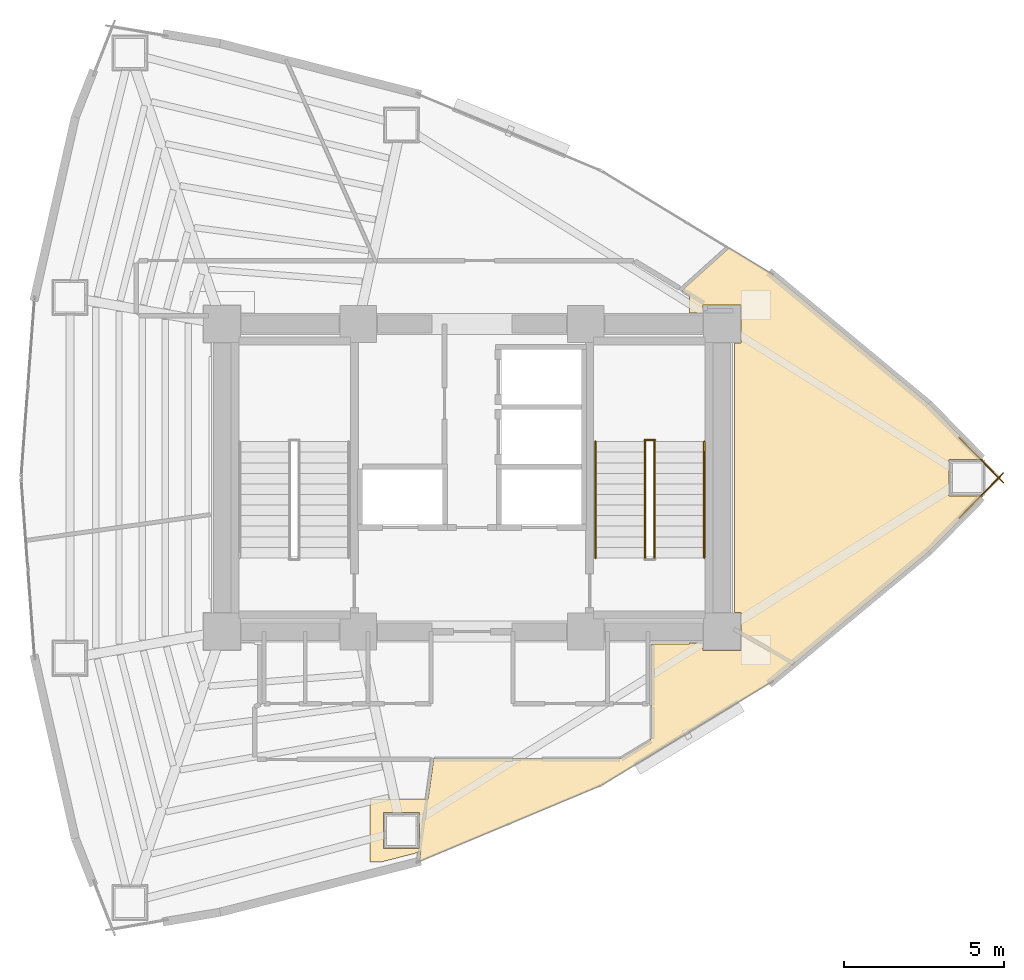
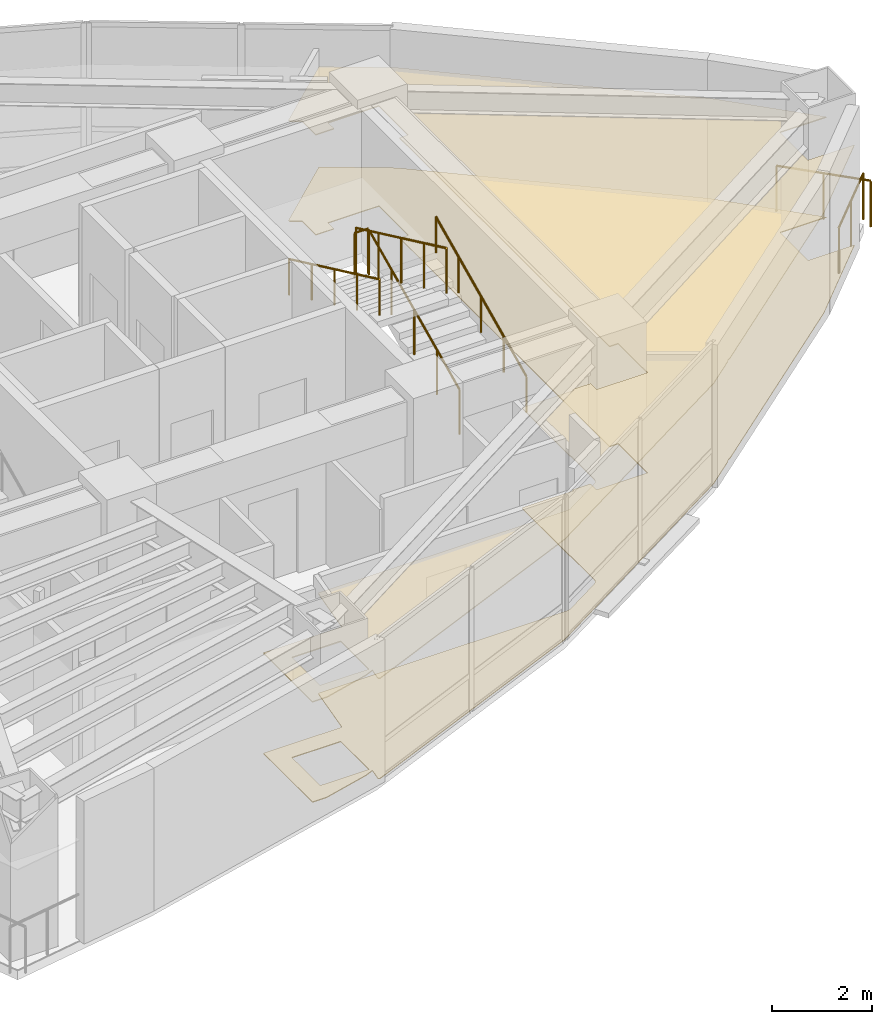
# One storey, part 14 of 15: 7 railings, 2 coverings.
"""IFC4 building model written with IfcOpenShell, lengths in metres."""

from ifc_helpers import new_model, si_unit, direction, frame, origin, origin_2d, place, context, subcontext, project, spatial, polyline, circle, outline, extrude, material, layer, layer_set, type_object, element, save


model = new_model("IFC4")

# Units and contexts
model_context = context("Model", 3, precision=1e-05, world=origin(), true_north=direction((0.0, 1.0)))
body_context = subcontext(model_context, "Body", "Model", "MODEL_VIEW")
ifc_project = project(units=[si_unit("LENGTHUNIT", "METRE"), si_unit("AREAUNIT", "SQUARE_METRE"), si_unit("VOLUMEUNIT", "CUBIC_METRE"), si_unit("PLANEANGLEUNIT", "RADIAN"), si_unit("MASSUNIT", "GRAM", prefix="KILO")], contexts=[model_context])

# Site, building, storey
site_placement = place(None, origin())
site = spatial("IfcSite", under=ifc_project, at=site_placement, CompositionType="ELEMENT")
building_placement = place(site_placement, origin())
building = spatial("IfcBuilding", under=site, at=building_placement, Name="Menara Vayukalpa", CompositionType="ELEMENT")
storey_placement = place(building_placement, frame((0.0, 0.0, 137.4599609375)))
storey = spatial("IfcBuildingStorey", under=building, at=storey_placement, Name="L34", CompositionType="ELEMENT", Elevation=137.4599609375)

# Coverings
ifc_material_1 = material(Name="Mineral Fibre Acoustic Ceiling Tile", Category="masonry")
ifc_layer_1 = layer(ifc_material_1, 0.02490234375)
ifc_layer_set_1 = layer_set([ifc_layer_1], Name="Mineral Fibre Acoustic Ceiling Tile")
covering_type_1 = type_object("IfcCoveringType", Name="COV-CLG1", PredefinedType="CEILING", material=ifc_layer_set_1)
covering_1_placement = place(storey_placement, frame((0.0, 0.0, 2.449951171875)))
element("IfcCovering", 1, at=covering_1_placement, inside=storey, type_object=covering_type_1, Name="L34 Operations Support Office Acoustic Ceiling", PredefinedType="CEILING", context=body_context, shape_type="SweptSolid", body=[
    extrude(outline(polyline([(24.40478515625, 13.20947265625), (24.405029296875, 13.210205078125), (24.40625, 13.216552734375), (24.406494140625, 13.21728515625), (24.406982421875, 13.218994140625), (24.4072265625, 13.219970703125), (24.407958984375, 13.2216796875), (24.40869140625, 13.22314453125), (24.409423828125, 13.224609375), (24.40966796875, 13.22509765625), (24.41064453125, 13.226806640625), (24.4111328125, 13.227294921875), (24.412109375, 13.228759765625), (24.4130859375, 13.229736328125), (24.414306640625, 13.231201171875), (24.414794921875, 13.231689453125), (24.415283203125, 13.232177734375), (24.4169921875, 13.2333984375), (24.417236328125, 13.233642578125), (24.418701171875, 13.234619140625), (24.419189453125, 13.235107421875), (24.4208984375, 13.236083984375), (24.421630859375, 13.236572265625), (24.42236328125, 13.23681640625), (24.424072265625, 13.237548828125), (24.42431640625, 13.237548828125), (24.426025390625, 13.23828125), (24.4267578125, 13.238525390625), (24.427490234375, 13.23876953125), (24.42919921875, 13.2392578125), (24.429931640625, 13.2392578125), (24.431884765625, 13.239501953125), (24.43310546875, 13.23974609375), (24.439697265625, 13.239990234375), (24.440185546875, 13.239990234375), (30.180908203125, 13.239990234375), (30.1982421875, 13.24072265625), (30.21533203125, 13.2431640625), (30.232177734375, 13.2470703125), (30.24853515625, 13.25244140625), (30.264404296875, 13.25927734375), (30.27978515625, 13.267822265625), (31.1083984375, 13.77099609375), (31.124755859375, 13.781982421875), (31.1396484375, 13.794677734375), (31.153076171875, 13.80859375), (31.165283203125, 13.823974609375), (31.175537109375, 13.84033203125), (31.18408203125, 13.85791015625), (31.191162109375, 13.8759765625), (31.196044921875, 13.89501953125), (31.198974609375, 13.9140625), (31.199951171875, 13.933837890625), (31.199951171875, 14.822998046875), (31.19921875, 14.83935546875), (31.197265625, 14.85498046875), (31.194091796875, 14.870849609375), (31.19091796875, 14.8828125), (31.190673828125, 14.8837890625), (31.1904296875, 14.88525390625), (31.190185546875, 14.88623046875), (31.18994140625, 14.89306640625), (31.18994140625, 14.8935546875), (31.18994140625, 16.775146484375), (31.18994140625, 16.775390625), (31.190185546875, 16.7822265625), (31.1904296875, 16.783447265625), (31.190673828125, 16.785400390625), (31.19091796875, 16.78662109375), (31.19140625, 16.788330078125), (31.191650390625, 16.788818359375), (31.192138671875, 16.79052734375), (31.1923828125, 16.79150390625), (31.19287109375, 16.792236328125), (31.19384765625, 16.7939453125), (31.194091796875, 16.79443359375), (31.195068359375, 16.796142578125), (31.195556640625, 16.796875), (31.196533203125, 16.79833984375), (31.197021484375, 16.799072265625), (31.198486328125, 16.800537109375), (31.199462890625, 16.801513671875), (31.200927734375, 16.802978515625), (31.20166015625, 16.803466796875), (31.203125, 16.804443359375), (31.203857421875, 16.804931640625), (31.20556640625, 16.805908203125), (31.2060546875, 16.80615234375), (31.207763671875, 16.80712890625), (31.20849609375, 16.8076171875), (31.20947265625, 16.807861328125), (31.211181640625, 16.808349609375), (31.211669921875, 16.80859375), (31.21337890625, 16.80908203125), (31.214599609375, 16.809326171875), (31.216552734375, 16.8095703125), (31.2177734375, 16.809814453125), (31.224609375, 16.81005859375), (31.224853515625, 16.81005859375), (32.389892578125, 16.81005859375), (32.389892578125, 16.85009765625), (32.81005859375, 16.85009765625), (32.81005859375, 16.610107421875), (33.989990234375, 16.610107421875), (33.989990234375, 17.7900390625), (33.7900390625, 17.7900390625), (33.7900390625, 26.2099609375), (33.989990234375, 26.2099609375), (33.989990234375, 27.389892578125), (32.81005859375, 27.389892578125), (32.81005859375, 27.14990234375), (32.389892578125, 27.14990234375), (32.389892578125, 27.6953125), (32.186767578125, 27.81884765625), (32.1865234375, 27.819091796875), (32.180908203125, 27.82275390625), (32.18017578125, 27.8232421875), (32.1787109375, 27.824462890625), (32.177978515625, 27.824951171875), (32.177490234375, 27.825439453125), (32.17626953125, 27.826904296875), (32.17578125, 27.827392578125), (32.174560546875, 27.8291015625), (32.174072265625, 27.82958984375), (32.173095703125, 27.8310546875), (32.17236328125, 27.83203125), (32.17138671875, 27.833740234375), (32.1708984375, 27.8349609375), (32.17041015625, 27.836669921875), (32.170166015625, 27.83740234375), (32.16943359375, 27.839111328125), (32.169189453125, 27.840087890625), (32.168701171875, 27.842041015625), (32.168701171875, 27.8427734375), (32.168701171875, 27.843505859375), (32.16845703125, 27.845458984375), (32.16845703125, 27.845947265625), (32.16845703125, 27.847900390625), (32.168701171875, 27.84912109375), (32.168701171875, 27.850830078125), (32.1689453125, 27.85205078125), (32.169189453125, 27.85400390625), (32.16943359375, 27.8544921875), (32.169921875, 27.856201171875), (32.170166015625, 27.85693359375), (32.17041015625, 27.857666015625), (32.17138671875, 27.859619140625), (32.171630859375, 27.860107421875), (32.172607421875, 27.86181640625), (32.173095703125, 27.86279296875), (32.17431640625, 27.864501953125), (32.174560546875, 27.864990234375), (32.17578125, 27.866455078125), (32.176513671875, 27.8671875), (32.181396484375, 27.8720703125), (32.181884765625, 27.872314453125), (33.610107421875, 29.158447265625), (33.6103515625, 29.15869140625), (33.61572265625, 29.1630859375), (33.6162109375, 29.16357421875), (33.617919921875, 29.16455078125), (33.618896484375, 29.165283203125), (33.62060546875, 29.166015625), (33.62158203125, 29.16650390625), (33.62353515625, 29.167236328125), (33.6240234375, 29.16748046875), (33.6259765625, 29.168212890625), (33.626953125, 29.16845703125), (33.62890625, 29.168701171875), (33.629638671875, 29.1689453125), (33.63037109375, 29.1689453125), (33.63232421875, 29.169189453125), (33.6328125, 29.169189453125), (33.634765625, 29.169189453125), (33.6357421875, 29.1689453125), (33.6376953125, 29.168701171875), (33.638916015625, 29.168701171875), (33.640625, 29.168212890625), (33.64111328125, 29.168212890625), (33.64306640625, 29.167724609375), (33.643798828125, 29.16748046875), (33.644775390625, 29.1669921875), (33.646484375, 29.166259765625), (33.64697265625, 29.166015625), (33.653076171875, 29.16259765625), (33.653564453125, 29.162353515625), (34.952392578125, 28.373291015625), (34.953125, 28.373046875), (34.96728515625, 28.36279296875), (34.968017578125, 28.3623046875), (39.852294921875, 24.31201171875), (39.8525390625, 24.311767578125), (39.861572265625, 24.303466796875), (39.862060546875, 24.302978515625), (41.568603515625, 22.56494140625), (40.494140625, 22.56494140625), (40.494140625, 21.43505859375), (41.568603515625, 21.43505859375), (39.862060546875, 19.697021484375), (39.861572265625, 19.696533203125), (39.8525390625, 19.688232421875), (39.852294921875, 19.68798828125), (35.698974609375, 16.24365234375), (35.698486328125, 16.243408203125), (35.692626953125, 16.239013671875), (35.69189453125, 16.238525390625), (35.690185546875, 16.237548828125), (35.689453125, 16.2373046875), (35.68701171875, 16.236083984375), (35.686279296875, 16.235595703125), (35.669921875, 16.22900390625), (35.6533203125, 16.22021484375), (35.6376953125, 16.2099609375), (35.623291015625, 16.197998046875), (35.60986328125, 16.184814453125), (35.597900390625, 16.17041015625), (35.58740234375, 16.15478515625), (35.5859375, 16.152099609375), (35.58544921875, 16.1513671875), (35.584228515625, 16.14990234375), (35.58349609375, 16.14892578125), (35.582275390625, 16.147705078125), (35.581787109375, 16.147216796875), (35.576904296875, 16.142578125), (35.576416015625, 16.14208984375), (34.968017578125, 15.6376953125), (34.96728515625, 15.63720703125), (34.953125, 15.626953125), (34.952392578125, 15.626708984375), (29.646484375, 12.4033203125), (29.64599609375, 12.403076171875), (29.6416015625, 12.400390625), (29.640869140625, 12.400146484375), (29.635986328125, 12.39794921875), (29.6357421875, 12.397705078125), (24.01025390625, 10.044921875), (24.010009765625, 10.044677734375), (24.00341796875, 10.042236328125), (24.002197265625, 10.0419921875), (24.000244140625, 10.04150390625), (23.99951171875, 10.041259765625), (23.99755859375, 10.041015625), (23.996826171875, 10.040771484375), (23.99609375, 10.040771484375), (23.993896484375, 10.040771484375), (23.993408203125, 10.040771484375), (23.991455078125, 10.041015625), (23.990478515625, 10.041015625), (23.988525390625, 10.041259765625), (23.987548828125, 10.04150390625), (23.985595703125, 10.0419921875), (23.984619140625, 10.042236328125), (23.98291015625, 10.04296875), (23.982177734375, 10.043212890625), (23.98046875, 10.044189453125), (23.979736328125, 10.04443359375), (23.97900390625, 10.044921875), (23.977294921875, 10.0458984375), (23.9765625, 10.04638671875), (23.97509765625, 10.047607421875), (23.974853515625, 10.0478515625), (23.973388671875, 10.04931640625), (23.97216796875, 10.05029296875), (23.970947265625, 10.0517578125), (23.97021484375, 10.052978515625), (23.968994140625, 10.0546875), (23.96875, 10.054931640625), (23.9677734375, 10.056640625), (23.96728515625, 10.0576171875), (23.966552734375, 10.059326171875), (23.966064453125, 10.060546875), (23.965576171875, 10.0625), (23.965087890625, 10.063232421875), (23.96484375, 10.065185546875), (23.964599609375, 10.06640625), (23.96435546875, 10.068359375), (23.96435546875, 10.0693359375), (23.96435546875, 10.0712890625), (23.96435546875, 10.072265625), (23.965087890625, 10.0791015625), (23.965087890625, 10.07958984375), (24.00390625, 10.3564453125), (23.806884765625, 10.27392578125), (22.744384765625, 10.0029296875), (22.411865234375, 10.0029296875), (22.411865234375, 11.972900390625), (24.231201171875, 11.972900390625), (24.40478515625, 13.20947265625)]), holes=[polyline([(23.9619140625, 11.552978515625), (22.831787109375, 11.552978515625), (22.831787109375, 10.423095703125), (23.9619140625, 10.423095703125), (23.9619140625, 11.552978515625)])]), origin(), (0.0, 0.0, 1.0), 0.025146484375),
])
ifc_material_2 = material(Name="Porcelain Stoneware Floor Tile", Category="masonry")
ifc_layer_2 = layer(ifc_material_2, 0.02001953125)
ifc_layer_set_2 = layer_set([ifc_layer_2], Name="Porcelain Stoneware Floor Tile")
covering_type_2 = type_object("IfcCoveringType", Name="COV-FLR1", PredefinedType="FLOORING", material=ifc_layer_set_2)
covering_2_placement = place(storey_placement, origin())
element("IfcCovering", 2, at=covering_2_placement, inside=storey, type_object=covering_type_2, Name="L34 Operations Support Office Porcelain Flooring", PredefinedType="FLOORING", context=body_context, shape_type="SweptSolid", body=[
    extrude(outline(polyline([(24.40478515625, 13.20947265625), (24.405029296875, 13.210205078125), (24.40625, 13.216552734375), (24.406494140625, 13.21728515625), (24.406982421875, 13.218994140625), (24.4072265625, 13.219970703125), (24.407958984375, 13.2216796875), (24.40869140625, 13.22314453125), (24.409423828125, 13.224609375), (24.40966796875, 13.22509765625), (24.41064453125, 13.226806640625), (24.4111328125, 13.227294921875), (24.412109375, 13.228759765625), (24.4130859375, 13.229736328125), (24.414306640625, 13.231201171875), (24.414794921875, 13.231689453125), (24.415283203125, 13.232177734375), (24.4169921875, 13.2333984375), (24.417236328125, 13.233642578125), (24.418701171875, 13.234619140625), (24.419189453125, 13.235107421875), (24.4208984375, 13.236083984375), (24.421630859375, 13.236572265625), (24.42236328125, 13.23681640625), (24.424072265625, 13.237548828125), (24.42431640625, 13.237548828125), (24.426025390625, 13.23828125), (24.4267578125, 13.238525390625), (24.427490234375, 13.23876953125), (24.42919921875, 13.2392578125), (24.429931640625, 13.2392578125), (24.431884765625, 13.239501953125), (24.43310546875, 13.23974609375), (24.439697265625, 13.239990234375), (24.440185546875, 13.239990234375), (30.180908203125, 13.239990234375), (30.1982421875, 13.24072265625), (30.21533203125, 13.2431640625), (30.232177734375, 13.2470703125), (30.24853515625, 13.25244140625), (30.264404296875, 13.25927734375), (30.27978515625, 13.267822265625), (31.1083984375, 13.77099609375), (31.124755859375, 13.781982421875), (31.1396484375, 13.794677734375), (31.153076171875, 13.80859375), (31.165283203125, 13.823974609375), (31.175537109375, 13.84033203125), (31.18408203125, 13.85791015625), (31.191162109375, 13.8759765625), (31.196044921875, 13.89501953125), (31.198974609375, 13.9140625), (31.199951171875, 13.933837890625), (31.199951171875, 14.822998046875), (31.19921875, 14.83935546875), (31.197265625, 14.85498046875), (31.194091796875, 14.870849609375), (31.19091796875, 14.8828125), (31.190673828125, 14.8837890625), (31.1904296875, 14.88525390625), (31.190185546875, 14.88623046875), (31.18994140625, 14.89306640625), (31.18994140625, 14.8935546875), (31.18994140625, 16.775146484375), (31.18994140625, 16.775390625), (31.190185546875, 16.7822265625), (31.1904296875, 16.783447265625), (31.190673828125, 16.785400390625), (31.19091796875, 16.78662109375), (31.19140625, 16.788330078125), (31.191650390625, 16.788818359375), (31.192138671875, 16.79052734375), (31.1923828125, 16.79150390625), (31.19287109375, 16.792236328125), (31.19384765625, 16.7939453125), (31.194091796875, 16.79443359375), (31.195068359375, 16.796142578125), (31.195556640625, 16.796875), (31.196533203125, 16.79833984375), (31.197021484375, 16.799072265625), (31.198486328125, 16.800537109375), (31.199462890625, 16.801513671875), (31.200927734375, 16.802978515625), (31.20166015625, 16.803466796875), (31.203125, 16.804443359375), (31.203857421875, 16.804931640625), (31.20556640625, 16.805908203125), (31.2060546875, 16.80615234375), (31.207763671875, 16.80712890625), (31.20849609375, 16.8076171875), (31.20947265625, 16.807861328125), (31.211181640625, 16.808349609375), (31.211669921875, 16.80859375), (31.21337890625, 16.80908203125), (31.214599609375, 16.809326171875), (31.216552734375, 16.8095703125), (31.2177734375, 16.809814453125), (31.224609375, 16.81005859375), (31.224853515625, 16.81005859375), (32.389892578125, 16.81005859375), (32.389892578125, 16.85009765625), (32.81005859375, 16.85009765625), (32.81005859375, 16.610107421875), (33.989990234375, 16.610107421875), (33.989990234375, 17.7900390625), (33.7900390625, 17.7900390625), (33.7900390625, 26.2099609375), (33.989990234375, 26.2099609375), (33.989990234375, 27.389892578125), (32.81005859375, 27.389892578125), (32.81005859375, 27.14990234375), (32.389892578125, 27.14990234375), (32.389892578125, 27.6953125), (32.186767578125, 27.81884765625), (32.1865234375, 27.819091796875), (32.180908203125, 27.82275390625), (32.18017578125, 27.8232421875), (32.1787109375, 27.824462890625), (32.177978515625, 27.824951171875), (32.177490234375, 27.825439453125), (32.17626953125, 27.826904296875), (32.17578125, 27.827392578125), (32.174560546875, 27.8291015625), (32.174072265625, 27.82958984375), (32.173095703125, 27.8310546875), (32.17236328125, 27.83203125), (32.17138671875, 27.833740234375), (32.1708984375, 27.8349609375), (32.17041015625, 27.836669921875), (32.170166015625, 27.83740234375), (32.16943359375, 27.839111328125), (32.169189453125, 27.840087890625), (32.168701171875, 27.842041015625), (32.168701171875, 27.8427734375), (32.168701171875, 27.843505859375), (32.16845703125, 27.845458984375), (32.16845703125, 27.845947265625), (32.16845703125, 27.847900390625), (32.168701171875, 27.84912109375), (32.168701171875, 27.850830078125), (32.1689453125, 27.85205078125), (32.169189453125, 27.85400390625), (32.16943359375, 27.8544921875), (32.169921875, 27.856201171875), (32.170166015625, 27.85693359375), (32.17041015625, 27.857666015625), (32.17138671875, 27.859619140625), (32.171630859375, 27.860107421875), (32.172607421875, 27.86181640625), (32.173095703125, 27.86279296875), (32.17431640625, 27.864501953125), (32.174560546875, 27.864990234375), (32.17578125, 27.866455078125), (32.176513671875, 27.8671875), (32.181396484375, 27.8720703125), (32.181884765625, 27.872314453125), (33.610107421875, 29.158447265625), (33.6103515625, 29.15869140625), (33.61572265625, 29.1630859375), (33.6162109375, 29.16357421875), (33.617919921875, 29.16455078125), (33.618896484375, 29.165283203125), (33.62060546875, 29.166015625), (33.62158203125, 29.16650390625), (33.62353515625, 29.167236328125), (33.6240234375, 29.16748046875), (33.6259765625, 29.168212890625), (33.626953125, 29.16845703125), (33.62890625, 29.168701171875), (33.629638671875, 29.1689453125), (33.63037109375, 29.1689453125), (33.63232421875, 29.169189453125), (33.6328125, 29.169189453125), (33.634765625, 29.169189453125), (33.6357421875, 29.1689453125), (33.6376953125, 29.168701171875), (33.638916015625, 29.168701171875), (33.640625, 29.168212890625), (33.64111328125, 29.168212890625), (33.64306640625, 29.167724609375), (33.643798828125, 29.16748046875), (33.644775390625, 29.1669921875), (33.646484375, 29.166259765625), (33.64697265625, 29.166015625), (33.653076171875, 29.16259765625), (33.653564453125, 29.162353515625), (34.952392578125, 28.373291015625), (34.953125, 28.373046875), (34.96728515625, 28.36279296875), (34.968017578125, 28.3623046875), (39.852294921875, 24.31201171875), (39.8525390625, 24.311767578125), (39.861572265625, 24.303466796875), (39.862060546875, 24.302978515625), (41.568603515625, 22.56494140625), (40.494140625, 22.56494140625), (40.494140625, 21.43505859375), (41.568603515625, 21.43505859375), (39.862060546875, 19.697021484375), (39.861572265625, 19.696533203125), (39.8525390625, 19.688232421875), (39.852294921875, 19.68798828125), (35.698974609375, 16.24365234375), (35.698486328125, 16.243408203125), (35.692626953125, 16.239013671875), (35.69189453125, 16.238525390625), (35.690185546875, 16.237548828125), (35.689453125, 16.2373046875), (35.68701171875, 16.236083984375), (35.686279296875, 16.235595703125), (35.669921875, 16.22900390625), (35.6533203125, 16.22021484375), (35.6376953125, 16.2099609375), (35.623291015625, 16.197998046875), (35.60986328125, 16.184814453125), (35.597900390625, 16.17041015625), (35.58740234375, 16.15478515625), (35.5859375, 16.152099609375), (35.58544921875, 16.1513671875), (35.584228515625, 16.14990234375), (35.58349609375, 16.14892578125), (35.582275390625, 16.147705078125), (35.581787109375, 16.147216796875), (35.576904296875, 16.142578125), (35.576416015625, 16.14208984375), (34.968017578125, 15.6376953125), (34.96728515625, 15.63720703125), (34.953125, 15.626953125), (34.952392578125, 15.626708984375), (29.646484375, 12.4033203125), (29.64599609375, 12.403076171875), (29.6416015625, 12.400390625), (29.640869140625, 12.400146484375), (29.635986328125, 12.39794921875), (29.6357421875, 12.397705078125), (24.01025390625, 10.044921875), (24.010009765625, 10.044677734375), (24.00341796875, 10.042236328125), (24.002197265625, 10.0419921875), (24.000244140625, 10.04150390625), (23.99951171875, 10.041259765625), (23.99755859375, 10.041015625), (23.996826171875, 10.040771484375), (23.99609375, 10.040771484375), (23.993896484375, 10.040771484375), (23.993408203125, 10.040771484375), (23.991455078125, 10.041015625), (23.990478515625, 10.041015625), (23.988525390625, 10.041259765625), (23.987548828125, 10.04150390625), (23.985595703125, 10.0419921875), (23.984619140625, 10.042236328125), (23.98291015625, 10.04296875), (23.982177734375, 10.043212890625), (23.98046875, 10.044189453125), (23.979736328125, 10.04443359375), (23.97900390625, 10.044921875), (23.977294921875, 10.0458984375), (23.9765625, 10.04638671875), (23.97509765625, 10.047607421875), (23.974853515625, 10.0478515625), (23.973388671875, 10.04931640625), (23.97216796875, 10.05029296875), (23.970947265625, 10.0517578125), (23.97021484375, 10.052978515625), (23.968994140625, 10.0546875), (23.96875, 10.054931640625), (23.9677734375, 10.056640625), (23.96728515625, 10.0576171875), (23.966552734375, 10.059326171875), (23.966064453125, 10.060546875), (23.965576171875, 10.0625), (23.965087890625, 10.063232421875), (23.96484375, 10.065185546875), (23.964599609375, 10.06640625), (23.96435546875, 10.068359375), (23.96435546875, 10.0693359375), (23.96435546875, 10.0712890625), (23.96435546875, 10.072265625), (23.965087890625, 10.0791015625), (23.965087890625, 10.07958984375), (24.00390625, 10.3564453125), (23.806884765625, 10.27392578125), (22.744384765625, 10.0029296875), (22.411865234375, 10.0029296875), (22.411865234375, 11.972900390625), (24.231201171875, 11.972900390625), (24.40478515625, 13.20947265625)]), holes=[polyline([(23.9619140625, 11.552978515625), (22.831787109375, 11.552978515625), (22.831787109375, 10.423095703125), (23.9619140625, 10.423095703125), (23.9619140625, 11.552978515625)])]), origin(), (0.0, 0.0, 1.0), 0.02001953125),
])

# Railings
ifc_material_3 = material(Name="Laminated Glass and Stainless Steel 316 Guardrail", Category="steel")
railing_type_1 = type_object("IfcRailingType", Name="RLG-EXT115", PredefinedType="GUARDRAIL", material=ifc_material_3)
railing_1_placement = place(storey_placement, frame((40.808349609375, 20.74658203125, 0.0)))
element("IfcRailing", 3, at=railing_1_placement, inside=storey, type_object=railing_type_1, Name="L34 Column Corner Spandrel Guardrail 01-1", PredefinedType="GUARDRAIL", context=body_context, shape_type="SweptSolid", body=[
    extrude(circle(Radius=0.02392578125, at=origin_2d()), frame((0.0, 0.0, 1.1259765625), z_axis=(0.700618824862, 0.713535747001, 0.0), x_axis=(-0.713535747001, 0.700618824862, 0.0)), (0.0, 0.0, 1.0), 1.965576171875),
    extrude(circle(Radius=0.02099609375, at=origin_2d()), origin(), (0.0, 0.0, 1.0), 1.101806640625),
    extrude(circle(Radius=0.02099609375, at=origin_2d()), frame((0.6884765625, 0.701171875, 0.0)), (0.0, 0.0, 1.0), 1.101806640625),
    extrude(circle(Radius=0.02099609375, at=origin_2d()), frame((1.377197265625, 1.402587890625, 0.0)), (0.0, 0.0, 1.0), 1.101806640625),
])
railing_2_placement = place(storey_placement, frame((42.185546875, 21.850830078125, 0.0)))
element("IfcRailing", 4, at=railing_2_placement, inside=storey, type_object=railing_type_1, Name="L34 Column Corner Spandrel Guardrail 02-1", PredefinedType="GUARDRAIL", context=body_context, shape_type="SweptSolid", body=[
    extrude(circle(Radius=0.02392578125, at=origin_2d()), frame((0.0, 0.0, 1.1259765625), z_axis=(-0.700618824862, 0.713535747001, 0.0), x_axis=(-0.713535747001, -0.700618824862, 0.0)), (0.0, 0.0, 1.0), 1.965576171875),
    extrude(circle(Radius=0.02099609375, at=origin_2d()), origin(), (0.0, 0.0, 1.0), 1.101806640625),
    extrude(circle(Radius=0.02099609375, at=origin_2d()), frame((-0.6884765625, 0.701171875, 0.0)), (0.0, 0.0, 1.0), 1.101806640625),
    extrude(circle(Radius=0.02099609375, at=origin_2d()), frame((-1.377197265625, 1.402587890625, 0.0)), (0.0, 0.0, 1.0), 1.101806640625),
])
ifc_material_4 = material(Name="Powder-Coated Galvanised Steel Guardrail", Category="steel")
railing_type_2 = type_object("IfcRailingType", Name="RLG-STG110", PredefinedType="GUARDRAIL", material=ifc_material_4)
railing_3_placement = place(storey_placement, frame((31.300048828125, 19.5, 0.155029296875)))
element("IfcRailing", 5, at=railing_3_placement, inside=storey, type_object=railing_type_2, Name="L34 ST-2 stair guard 1", PredefinedType="GUARDRAIL", context=body_context, shape_type="SweptSolid", body=[
    extrude(circle(Radius=0.02392578125, at=origin_2d()), frame((0.0, 0.0, 1.09619140625), z_axis=(0.0, 0.90511648382, 0.425163675209), x_axis=(-1.0, 0.0, 0.0)), (0.0, 0.0, 1.0), 4.010498046875),
    extrude(circle(Radius=0.02099609375, at=origin_2d()), origin(), (0.0, 0.0, 1.0), 1.072021484375),
    extrude(circle(Radius=0.02099609375, at=origin_2d()), frame((0.0, 0.907470703125, 0.42626953125)), (0.0, 0.0, 1.0), 1.072021484375),
    extrude(circle(Radius=0.02099609375, at=origin_2d()), frame((0.0, 1.81494140625, 0.8525390625)), (0.0, 0.0, 1.0), 1.072021484375),
    extrude(circle(Radius=0.02099609375, at=origin_2d()), frame((0.0, 2.722412109375, 1.27880859375)), (0.0, 0.0, 1.0), 1.072021484375),
    extrude(circle(Radius=0.02099609375, at=origin_2d()), frame((0.0, 3.6298828125, 1.705078125)), (0.0, 0.0, 1.0), 1.072021484375),
])
railing_4_placement = place(storey_placement, frame((31.31005859375, 23.179931640625, 1.860107421875)))
element("IfcRailing", 6, at=railing_4_placement, inside=storey, type_object=railing_type_2, Name="L34 ST-2 stair guard 2", PredefinedType="GUARDRAIL", context=body_context, shape_type="SweptSolid", body=[
    extrude(circle(Radius=0.02392578125, at=origin_2d()), frame((0.0, 0.0, 1.09619140625), z_axis=(-1.0, 0.0, 0.0), x_axis=(0.0, -1.0, 0.0)), (0.0, 0.0, 1.0), 0.320068359375),
    extrude(circle(Radius=0.02099609375, at=origin_2d()), origin(), (0.0, 0.0, 1.0), 1.072021484375),
    extrude(circle(Radius=0.02099609375, at=origin_2d()), frame((-0.320068359375, 0.0, 0.0)), (0.0, 0.0, 1.0), 1.072021484375),
])
railing_5_placement = place(storey_placement, frame((31.0, 23.1298828125, 2.01513671875)))
element("IfcRailing", 7, at=railing_5_placement, inside=storey, type_object=railing_type_2, Name="L34 ST-2 stair guard 3", PredefinedType="GUARDRAIL", context=body_context, shape_type="SweptSolid", body=[
    extrude(circle(Radius=0.02392578125, at=origin_2d()), frame((0.0, 0.0, 1.09619140625), z_axis=(0.0, -0.90513990983, 0.425113800803), x_axis=(1.0, 0.0, 0.0)), (0.0, 0.0, 1.0), 4.01025390625),
    extrude(circle(Radius=0.02099609375, at=origin_2d()), origin(), (0.0, 0.0, 1.0), 1.072021484375),
    extrude(circle(Radius=0.02099609375, at=origin_2d()), frame((0.0, -0.907470703125, 0.42626953125)), (0.0, 0.0, 1.0), 1.072021484375),
    extrude(circle(Radius=0.02099609375, at=origin_2d()), frame((0.0, -1.81494140625, 0.8525390625)), (0.0, 0.0, 1.0), 1.072021484375),
    extrude(circle(Radius=0.02099609375, at=origin_2d()), frame((0.0, -2.722412109375, 1.278564453125)), (0.0, 0.0, 1.0), 1.072021484375),
    extrude(circle(Radius=0.02099609375, at=origin_2d()), frame((0.0, -3.6298828125, 1.704833984375)), (0.0, 0.0, 1.0), 1.072021484375),
])
ifc_material_5 = material(Name="Stainless Steel 316 Tubular Handrail", Category="steel")
railing_type_3 = type_object("IfcRailingType", Name="RLG-STH090", PredefinedType="HANDRAIL", material=ifc_material_5)
railing_6_placement = place(storey_placement, frame((32.85009765625, 19.5, 0.155029296875)))
element("IfcRailing", 8, at=railing_6_placement, inside=storey, type_object=railing_type_3, Name="L34 ST-2 stair handrail 1", PredefinedType="HANDRAIL", context=body_context, shape_type="SweptSolid", body=[
    extrude(circle(Radius=0.02392578125, at=origin_2d()), frame((0.0, 0.0, 0.8759765625), z_axis=(0.0, 0.90511648382, 0.425163675209), x_axis=(-1.0, 0.0, 0.0)), (0.0, 0.0, 1.0), 4.010498046875),
    extrude(circle(Radius=0.02099609375, at=origin_2d()), origin(), (0.0, 0.0, 1.0), 0.851806640625),
    extrude(circle(Radius=0.02099609375, at=origin_2d()), frame((0.0, 0.907470703125, 0.42626953125)), (0.0, 0.0, 1.0), 0.851806640625),
    extrude(circle(Radius=0.02099609375, at=origin_2d()), frame((0.0, 1.81494140625, 0.8525390625)), (0.0, 0.0, 1.0), 0.851806640625),
    extrude(circle(Radius=0.02099609375, at=origin_2d()), frame((0.0, 2.722412109375, 1.27880859375)), (0.0, 0.0, 1.0), 0.851806640625),
    extrude(circle(Radius=0.02099609375, at=origin_2d()), frame((0.0, 3.6298828125, 1.705078125)), (0.0, 0.0, 1.0), 0.851806640625),
])
railing_7_placement = place(storey_placement, frame((29.449951171875, 23.1298828125, 2.01513671875)))
element("IfcRailing", 9, at=railing_7_placement, inside=storey, type_object=railing_type_3, Name="L34 ST-2 stair handrail 2", PredefinedType="HANDRAIL", context=body_context, shape_type="SweptSolid", body=[
    extrude(circle(Radius=0.02392578125, at=origin_2d()), frame((0.0, 0.0, 0.8759765625), z_axis=(0.0, -0.90513990983, 0.425113800803), x_axis=(1.0, 0.0, 0.0)), (0.0, 0.0, 1.0), 4.01025390625),
    extrude(circle(Radius=0.02099609375, at=origin_2d()), origin(), (0.0, 0.0, 1.0), 0.851806640625),
    extrude(circle(Radius=0.02099609375, at=origin_2d()), frame((0.0, -0.907470703125, 0.42626953125)), (0.0, 0.0, 1.0), 0.851806640625),
    extrude(circle(Radius=0.02099609375, at=origin_2d()), frame((0.0, -1.81494140625, 0.8525390625)), (0.0, 0.0, 1.0), 0.851806640625),
    extrude(circle(Radius=0.02099609375, at=origin_2d()), frame((0.0, -2.722412109375, 1.278564453125)), (0.0, 0.0, 1.0), 0.851806640625),
    extrude(circle(Radius=0.02099609375, at=origin_2d()), frame((0.0, -3.6298828125, 1.704833984375)), (0.0, 0.0, 1.0), 0.851806640625),
])

save(model, "model.ifc")
